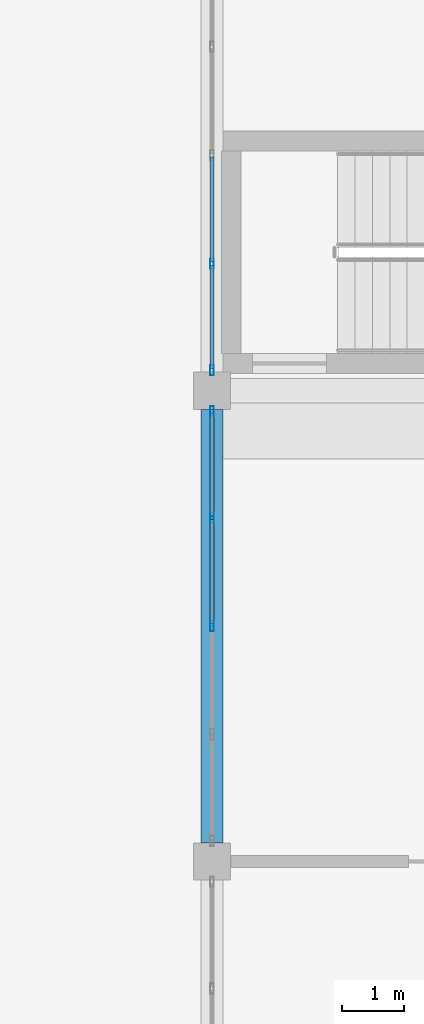
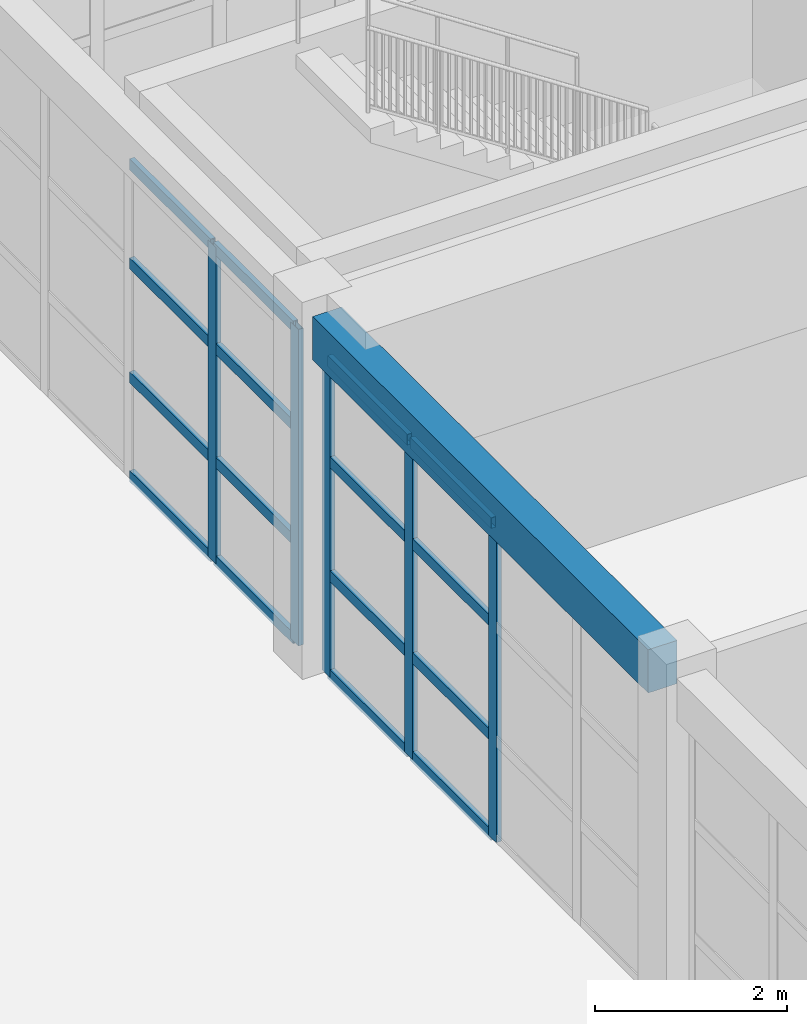
# One storey, part 9 of 32: 21 members, 1 beam, 2 elements without a shape of their own.
"""IFC4 building model written with IfcOpenShell, lengths in metres."""

from ifc_helpers import new_model, si_unit, direction, frame, origin, origin_2d, place, context, subcontext, project, spatial, rectangle, hollow_rectangle, extrude, material, material_profile, profile_set, type_object, element, aggregate, save


model = new_model("IFC4")

# Units and contexts
model_context = context("Model", 3, precision=1e-05, world=origin(), true_north=direction((0.0, 1.0)))
body_context = subcontext(model_context, "Body", "Model", "MODEL_VIEW")
ifc_project = project(units=[si_unit("LENGTHUNIT", "METRE"), si_unit("AREAUNIT", "SQUARE_METRE"), si_unit("VOLUMEUNIT", "CUBIC_METRE"), si_unit("PLANEANGLEUNIT", "RADIAN"), si_unit("MASSUNIT", "GRAM", prefix="KILO")], contexts=[model_context])

# Site, building, storey
site_placement = place(None, origin())
site = spatial("IfcSite", under=ifc_project, at=site_placement, CompositionType="ELEMENT")
building_placement = place(site_placement, origin())
building = spatial("IfcBuilding", under=site, at=building_placement, Name="Zantavel Square City Hall", CompositionType="ELEMENT")
storey_placement = place(building_placement, frame((0.0, 0.0, 23.699951171875)))
storey = spatial("IfcBuildingStorey", under=building, at=storey_placement, Name="L06", CompositionType="ELEMENT", Elevation=23.699951171875)

# Curtain wall, members
ifc_material_1 = material(Name="Anodised aluminium 6063-T6", Category="aluminium")
curtain_wall_type = type_object("IfcCurtainWallType", Name="Curtain Wall TRV1 7000x4030", PredefinedType="USERDEFINED", material=ifc_material_1)
curtain_wall_1_placement = place(storey_placement, origin())
curtain_wall_1 = element("IfcCurtainWall", 1, at=curtain_wall_1_placement, inside=storey, type_object=curtain_wall_type, Name="L06 Glazed Curtain Wall CW-L06-144", ObjectType="GLAZED CURTAIN WALL", PredefinedType="USERDEFINED")
ifc_material_profile_1 = material_profile(ifc_material_1, hollow_rectangle(XDim=0.06005859375, YDim=0.1650390625, WallThickness=0.00390625, at=origin_2d()), Name="ALU 60x165x4")
ifc_profile_set_1 = profile_set([ifc_material_profile_1], Name="Anodised aluminium 6063-T6")
member_type_1 = type_object("IfcMemberType", Name="CW Council Gallery Mullion ALU 60x165x4", PredefinedType="MULLION", material=ifc_profile_set_1)
member_1_placement = place(storey_placement, frame((64.0, 57.0, 0.0), z_axis=(0.0, 0.0, 1.0), x_axis=(-1.0, 0.0, 0.0)))
member_1 = element("IfcMember", 2, at=member_1_placement, type_object=member_type_1, Name="CW-144 mullion 3", PredefinedType="MULLION", context=body_context, shape_type="SweptSolid", body=[
    extrude(hollow_rectangle(XDim=0.06005859375, YDim=0.1650390625, WallThickness=0.00390625, at=origin_2d()), origin(), (0.0, 0.0, 1.0), 4.030029296875),
])
member_2_placement = place(storey_placement, frame((64.0, 58.75, 0.0), z_axis=(0.0, 0.0, 1.0), x_axis=(-1.0, 0.0, 0.0)))
member_2 = element("IfcMember", 3, at=member_2_placement, type_object=member_type_1, Name="CW-144 mullion 4", PredefinedType="MULLION", context=body_context, shape_type="SweptSolid", body=[
    extrude(hollow_rectangle(XDim=0.06005859375, YDim=0.1650390625, WallThickness=0.00390625, at=origin_2d()), origin(), (0.0, 0.0, 1.0), 4.030029296875),
])
member_3_placement = place(storey_placement, frame((64.0, 60.469970703125, 0.0), z_axis=(0.0, 0.0, 1.0), x_axis=(-1.0, 0.0, 0.0)))
member_3 = element("IfcMember", 4, at=member_3_placement, type_object=member_type_1, Name="CW-144 mullion 5", PredefinedType="MULLION", context=body_context, shape_type="SweptSolid", body=[
    extrude(hollow_rectangle(XDim=0.06005859375, YDim=0.1650390625, WallThickness=0.00390625, at=origin_2d()), origin(), (0.0, 0.0, 1.0), 4.030029296875),
])

curtain_wall_2_placement = place(storey_placement, origin())
curtain_wall_2 = element("IfcCurtainWall", 5, at=curtain_wall_2_placement, inside=storey, type_object=curtain_wall_type, Name="L06 Glazed Curtain Wall CW-L06-145", ObjectType="GLAZED CURTAIN WALL", PredefinedType="USERDEFINED")
member_4_placement = place(storey_placement, frame((64.0, 61.1298828125, 0.0), z_axis=(0.0, 0.0, 1.0), x_axis=(-1.0, 0.0, 0.0)))
member_4 = element("IfcMember", 6, at=member_4_placement, type_object=member_type_1, Name="CW-145 mullion 1", PredefinedType="MULLION", context=body_context, shape_type="SweptSolid", body=[
    extrude(hollow_rectangle(XDim=0.06005859375, YDim=0.1650390625, WallThickness=0.00390625, at=origin_2d()), origin(), (0.0, 0.0, 1.0), 4.030029296875),
])
member_5_placement = place(storey_placement, frame((64.0, 62.85009765625, 0.0), z_axis=(0.0, 0.0, 1.0), x_axis=(-1.0, 0.0, 0.0)))
member_5 = element("IfcMember", 7, at=member_5_placement, type_object=member_type_1, Name="CW-145 mullion 2", PredefinedType="MULLION", context=body_context, shape_type="SweptSolid", body=[
    extrude(hollow_rectangle(XDim=0.06005859375, YDim=0.1650390625, WallThickness=0.00390625, at=origin_2d()), origin(), (0.0, 0.0, 1.0), 4.030029296875),
])

# Member
ifc_material_profile_2 = material_profile(ifc_material_1, hollow_rectangle(XDim=0.06005859375, YDim=0.139892578125, WallThickness=0.00390625, at=origin_2d()), Name="ALU 60x140x4")
ifc_profile_set_2 = profile_set([ifc_material_profile_2], Name="Anodised aluminium 6063-T6")
member_type_2 = type_object("IfcMemberType", Name="CW Transom ALU 60x140x4", PredefinedType="USERDEFINED", material=ifc_profile_set_2)
member_6_placement = place(storey_placement, frame((64.0, 57.030029296875, 0.030029296875), z_axis=(0.0, 1.0, 0.0), x_axis=(-1.0, 0.0, 0.0)))
member_6 = element("IfcMember", 8, at=member_6_placement, type_object=member_type_2, Name="CW-144 transom 3.1", ObjectType="TRANSOM", PredefinedType="USERDEFINED", context=body_context, shape_type="SweptSolid", body=[
    extrude(hollow_rectangle(XDim=0.06005859375, YDim=0.139892578125, WallThickness=0.00390625, at=origin_2d()), origin(), (0.0, 0.0, 1.0), 1.68994140625),
])

member_7_placement = place(storey_placement, frame((64.0, 57.030029296875, 1.2900390625), z_axis=(0.0, 1.0, 0.0), x_axis=(-1.0, 0.0, 0.0)))
member_7 = element("IfcMember", 9, at=member_7_placement, type_object=member_type_2, Name="CW-144 transom 3.2", ObjectType="TRANSOM", PredefinedType="USERDEFINED", context=body_context, shape_type="SweptSolid", body=[
    extrude(hollow_rectangle(XDim=0.06005859375, YDim=0.139892578125, WallThickness=0.00390625, at=origin_2d()), origin(), (0.0, 0.0, 1.0), 1.68994140625),
])

member_8_placement = place(storey_placement, frame((64.0, 57.030029296875, 2.739990234375), z_axis=(0.0, 1.0, 0.0), x_axis=(-1.0, 0.0, 0.0)))
member_8 = element("IfcMember", 10, at=member_8_placement, type_object=member_type_2, Name="CW-144 transom 3.3", ObjectType="TRANSOM", PredefinedType="USERDEFINED", context=body_context, shape_type="SweptSolid", body=[
    extrude(hollow_rectangle(XDim=0.06005859375, YDim=0.139892578125, WallThickness=0.00390625, at=origin_2d()), origin(), (0.0, 0.0, 1.0), 1.68994140625),
])

member_9_placement = place(storey_placement, frame((64.0, 57.030029296875, 4.0), z_axis=(0.0, 1.0, 0.0), x_axis=(-1.0, 0.0, 0.0)))
member_9 = element("IfcMember", 11, at=member_9_placement, type_object=member_type_2, Name="CW-144 transom 3.4", ObjectType="TRANSOM", PredefinedType="USERDEFINED", context=body_context, shape_type="SweptSolid", body=[
    extrude(hollow_rectangle(XDim=0.06005859375, YDim=0.139892578125, WallThickness=0.00390625, at=origin_2d()), origin(), (0.0, 0.0, 1.0), 1.68994140625),
])

member_10_placement = place(storey_placement, frame((64.0, 58.780029296875, 0.030029296875), z_axis=(0.0, 1.0, 0.0), x_axis=(-1.0, 0.0, 0.0)))
member_10 = element("IfcMember", 12, at=member_10_placement, type_object=member_type_2, Name="CW-144 transom 4.1", ObjectType="TRANSOM", PredefinedType="USERDEFINED", context=body_context, shape_type="SweptSolid", body=[
    extrude(hollow_rectangle(XDim=0.06005859375, YDim=0.139892578125, WallThickness=0.00390625, at=origin_2d()), origin(), (0.0, 0.0, 1.0), 1.659912109375),
])

member_11_placement = place(storey_placement, frame((64.0, 58.780029296875, 1.2900390625), z_axis=(0.0, 1.0, 0.0), x_axis=(-1.0, 0.0, 0.0)))
member_11 = element("IfcMember", 13, at=member_11_placement, type_object=member_type_2, Name="CW-144 transom 4.2", ObjectType="TRANSOM", PredefinedType="USERDEFINED", context=body_context, shape_type="SweptSolid", body=[
    extrude(hollow_rectangle(XDim=0.06005859375, YDim=0.139892578125, WallThickness=0.00390625, at=origin_2d()), origin(), (0.0, 0.0, 1.0), 1.659912109375),
])

member_12_placement = place(storey_placement, frame((64.0, 58.780029296875, 2.739990234375), z_axis=(0.0, 1.0, 0.0), x_axis=(-1.0, 0.0, 0.0)))
member_12 = element("IfcMember", 14, at=member_12_placement, type_object=member_type_2, Name="CW-144 transom 4.3", ObjectType="TRANSOM", PredefinedType="USERDEFINED", context=body_context, shape_type="SweptSolid", body=[
    extrude(hollow_rectangle(XDim=0.06005859375, YDim=0.139892578125, WallThickness=0.00390625, at=origin_2d()), origin(), (0.0, 0.0, 1.0), 1.659912109375),
])

member_13_placement = place(storey_placement, frame((64.0, 58.780029296875, 4.0), z_axis=(0.0, 1.0, 0.0), x_axis=(-1.0, 0.0, 0.0)))
member_13 = element("IfcMember", 15, at=member_13_placement, type_object=member_type_2, Name="CW-144 transom 4.4", ObjectType="TRANSOM", PredefinedType="USERDEFINED", context=body_context, shape_type="SweptSolid", body=[
    extrude(hollow_rectangle(XDim=0.06005859375, YDim=0.139892578125, WallThickness=0.00390625, at=origin_2d()), origin(), (0.0, 0.0, 1.0), 1.659912109375),
])

aggregate(curtain_wall_1, [member_1, member_2, member_3, member_6, member_7, member_8, member_9, member_10, member_11, member_12, member_13])

member_14_placement = place(storey_placement, frame((64.0, 61.159912109375, 0.030029296875), z_axis=(0.0, 1.0, 0.0), x_axis=(-1.0, 0.0, 0.0)))
member_14 = element("IfcMember", 16, at=member_14_placement, type_object=member_type_2, Name="CW-145 transom 1.1", ObjectType="TRANSOM", PredefinedType="USERDEFINED", context=body_context, shape_type="SweptSolid", body=[
    extrude(hollow_rectangle(XDim=0.06005859375, YDim=0.139892578125, WallThickness=0.00390625, at=origin_2d()), origin(), (0.0, 0.0, 1.0), 1.66015625),
])

member_15_placement = place(storey_placement, frame((64.0, 61.159912109375, 1.2900390625), z_axis=(0.0, 1.0, 0.0), x_axis=(-1.0, 0.0, 0.0)))
member_15 = element("IfcMember", 17, at=member_15_placement, type_object=member_type_2, Name="CW-145 transom 1.2", ObjectType="TRANSOM", PredefinedType="USERDEFINED", context=body_context, shape_type="SweptSolid", body=[
    extrude(hollow_rectangle(XDim=0.06005859375, YDim=0.139892578125, WallThickness=0.00390625, at=origin_2d()), origin(), (0.0, 0.0, 1.0), 1.66015625),
])

member_16_placement = place(storey_placement, frame((64.0, 61.159912109375, 2.739990234375), z_axis=(0.0, 1.0, 0.0), x_axis=(-1.0, 0.0, 0.0)))
member_16 = element("IfcMember", 18, at=member_16_placement, type_object=member_type_2, Name="CW-145 transom 1.3", ObjectType="TRANSOM", PredefinedType="USERDEFINED", context=body_context, shape_type="SweptSolid", body=[
    extrude(hollow_rectangle(XDim=0.06005859375, YDim=0.139892578125, WallThickness=0.00390625, at=origin_2d()), origin(), (0.0, 0.0, 1.0), 1.66015625),
])

member_17_placement = place(storey_placement, frame((64.0, 61.159912109375, 4.0), z_axis=(0.0, 1.0, 0.0), x_axis=(-1.0, 0.0, 0.0)))
member_17 = element("IfcMember", 19, at=member_17_placement, type_object=member_type_2, Name="CW-145 transom 1.4", ObjectType="TRANSOM", PredefinedType="USERDEFINED", context=body_context, shape_type="SweptSolid", body=[
    extrude(hollow_rectangle(XDim=0.06005859375, YDim=0.139892578125, WallThickness=0.00390625, at=origin_2d()), origin(), (0.0, 0.0, 1.0), 1.66015625),
])

member_18_placement = place(storey_placement, frame((64.0, 62.8798828125, 0.030029296875), z_axis=(0.0, 1.0, 0.0), x_axis=(-1.0, 0.0, 0.0)))
member_18 = element("IfcMember", 20, at=member_18_placement, type_object=member_type_2, Name="CW-145 transom 2.1", ObjectType="TRANSOM", PredefinedType="USERDEFINED", context=body_context, shape_type="SweptSolid", body=[
    extrude(hollow_rectangle(XDim=0.06005859375, YDim=0.139892578125, WallThickness=0.00390625, at=origin_2d()), origin(), (0.0, 0.0, 1.0), 1.690185546875),
])

member_19_placement = place(storey_placement, frame((64.0, 62.8798828125, 1.2900390625), z_axis=(0.0, 1.0, 0.0), x_axis=(-1.0, 0.0, 0.0)))
member_19 = element("IfcMember", 21, at=member_19_placement, type_object=member_type_2, Name="CW-145 transom 2.2", ObjectType="TRANSOM", PredefinedType="USERDEFINED", context=body_context, shape_type="SweptSolid", body=[
    extrude(hollow_rectangle(XDim=0.06005859375, YDim=0.139892578125, WallThickness=0.00390625, at=origin_2d()), origin(), (0.0, 0.0, 1.0), 1.690185546875),
])

member_20_placement = place(storey_placement, frame((64.0, 62.8798828125, 2.739990234375), z_axis=(0.0, 1.0, 0.0), x_axis=(-1.0, 0.0, 0.0)))
member_20 = element("IfcMember", 22, at=member_20_placement, type_object=member_type_2, Name="CW-145 transom 2.3", ObjectType="TRANSOM", PredefinedType="USERDEFINED", context=body_context, shape_type="SweptSolid", body=[
    extrude(hollow_rectangle(XDim=0.06005859375, YDim=0.139892578125, WallThickness=0.00390625, at=origin_2d()), origin(), (0.0, 0.0, 1.0), 1.690185546875),
])

member_21_placement = place(storey_placement, frame((64.0, 62.8798828125, 4.0), z_axis=(0.0, 1.0, 0.0), x_axis=(-1.0, 0.0, 0.0)))
member_21 = element("IfcMember", 23, at=member_21_placement, type_object=member_type_2, Name="CW-145 transom 2.4", ObjectType="TRANSOM", PredefinedType="USERDEFINED", context=body_context, shape_type="SweptSolid", body=[
    extrude(hollow_rectangle(XDim=0.06005859375, YDim=0.139892578125, WallThickness=0.00390625, at=origin_2d()), origin(), (0.0, 0.0, 1.0), 1.690185546875),
])

aggregate(curtain_wall_2, [member_4, member_5, member_14, member_15, member_16, member_17, member_18, member_19, member_20, member_21])

# Beam
ifc_material_2 = material(Name="Concrete C35/45", Category="concrete")
ifc_material_profile_3 = material_profile(ifc_material_2, rectangle(XDim=0.35009765625, YDim=0.550048828125, at=origin_2d()), Name="RC 350x550")
ifc_profile_set_3 = profile_set([ifc_material_profile_3], Name="Concrete C35/45")
beam_type = type_object("IfcBeamType", Name="Secondary Beam RC 350x550 C35/45", PredefinedType="BEAM", material=ifc_profile_set_3)
beam_placement = place(storey_placement, frame((64.0, 53.5, 4.304931640625), z_axis=(0.0, 1.0, 0.0), x_axis=(-1.0, 0.0, 0.0)))
element("IfcBeam", 24, at=beam_placement, inside=storey, type_object=beam_type, Name="L06 Beam BMY-L06-0640-0532", PredefinedType="BEAM", context=body_context, shape_type="SweptSolid", body=[
    extrude(rectangle(XDim=0.35009765625, YDim=0.550048828125, at=origin_2d()), origin(), (0.0, 0.0, 1.0), 7.0),
])

save(model, "model.ifc")
